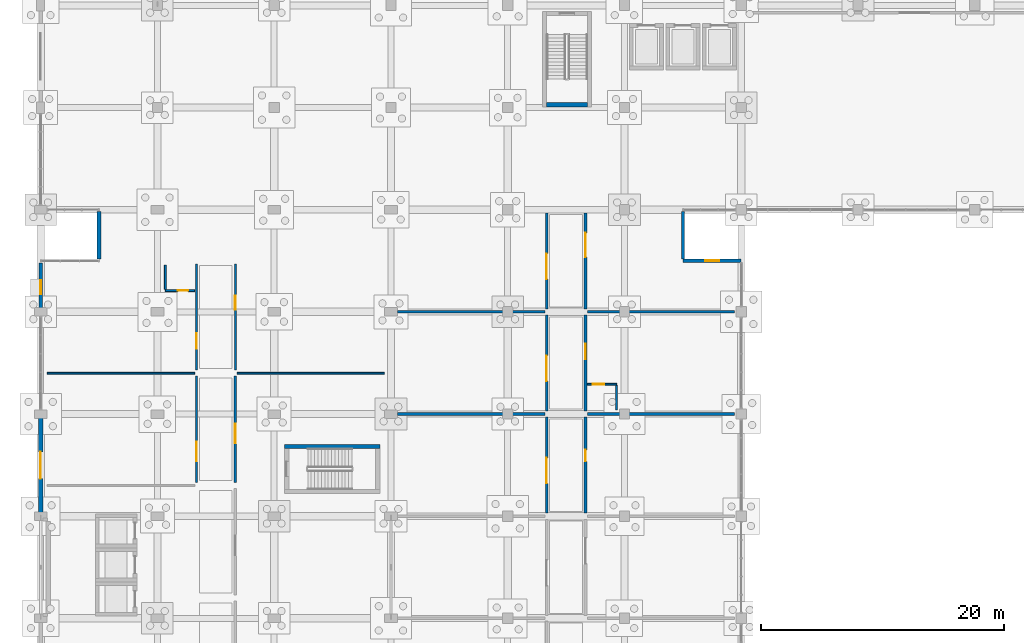
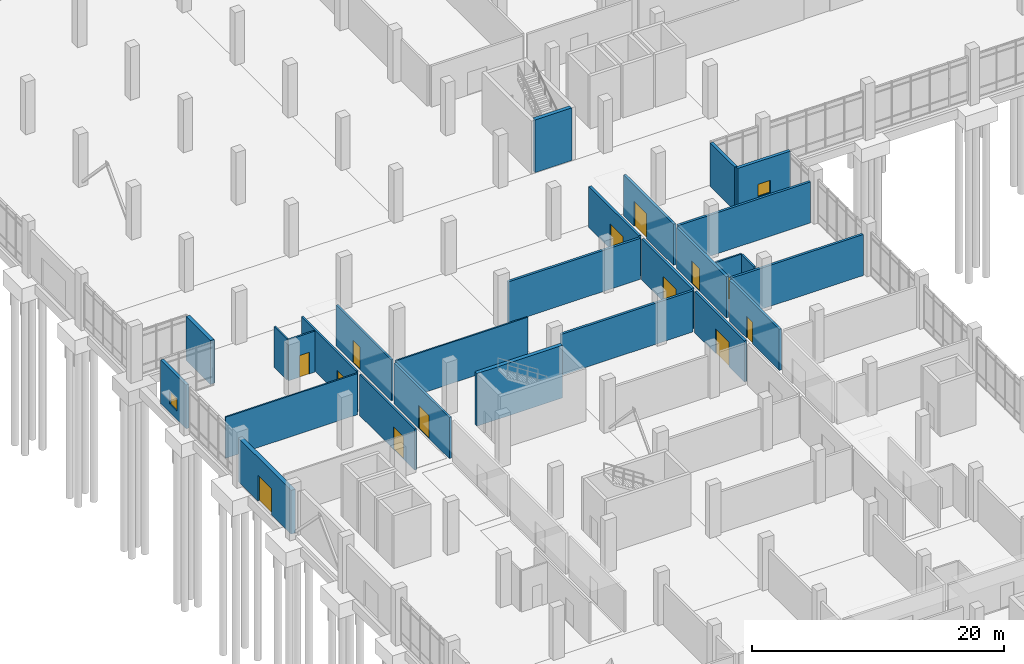
# One storey, part 107 of 136: 27 walls, 13 doors, 2 windows, 15 openings.
"""IFC4 building model written with IfcOpenShell, lengths in metres."""

from ifc_helpers import new_model, si_unit, direction, frame, frame_2d, origin, place, context, subcontext, project, spatial, rectangle, extrude, material, layer, layer_set, type_object, element, fill, save


model = new_model("IFC4")

# Units and contexts
model_context = context("Model", 3, precision=1e-05, world=origin(), true_north=direction((0.0, 1.0)))
body_context = subcontext(model_context, "Body", "Model", "MODEL_VIEW")
ifc_project = project(units=[si_unit("LENGTHUNIT", "METRE"), si_unit("AREAUNIT", "SQUARE_METRE"), si_unit("VOLUMEUNIT", "CUBIC_METRE"), si_unit("PLANEANGLEUNIT", "RADIAN"), si_unit("MASSUNIT", "GRAM", prefix="KILO")], contexts=[model_context])

# Site, building, storey
site_placement = place(None, origin())
site = spatial("IfcSite", under=ifc_project, at=site_placement, CompositionType="ELEMENT")
building_placement = place(site_placement, origin())
building = spatial("IfcBuilding", under=site, at=building_placement, Name="Oolite Switchyard Hospital", CompositionType="ELEMENT")
storey_placement = place(building_placement, origin())
storey = spatial("IfcBuildingStorey", under=building, at=storey_placement, Name="L00", CompositionType="ELEMENT", Elevation=0.0)

# Wall, opening, window
ifc_material_1 = material(Name="Precast oolitic limestone architectural concrete C40/50", Category="masonry")
ifc_layer_1 = layer(ifc_material_1, 0.260009765625)
ifc_layer_set_1 = layer_set([ifc_layer_1], Name="WAL-EXT-260")
wall_type_1 = type_object("IfcWallType", Name="WAL-EXT-260", PredefinedType="SOLIDWALL", material=ifc_layer_set_1)
wall_1_placement = place(storey_placement, frame((0.0, 75.60009765625, 0.0), z_axis=(0.0, 0.0, 1.0), x_axis=(0.0, 1.0, 0.0)))
wall_1 = element("IfcWall", 1, at=wall_1_placement, inside=storey, type_object=wall_type_1, Name="L00 Exterior Spandrel Wall 49", PredefinedType="SOLIDWALL", context=body_context, shape_type="SweptSolid", body=[
    extrude(rectangle(XDim=4.039794921875, YDim=0.260009765625, at=frame_2d((2.02001953125, 0.0))), origin(), (0.0, 0.0, 1.0), 4.239990234375),
])
opening_1_placement = place(wall_1_placement, frame((1.445068359375, 0.0, 0.85009765625)))
opening_1 = element("IfcOpeningElement", 2, at=opening_1_placement, cuts=wall_1, Name="Opening WN-0016", PredefinedType="OPENING", context=body_context, shape_type="SweptSolid", body=[
    extrude(rectangle(XDim=1.14990234375, YDim=1.199951171875, at=frame_2d((0.574951171875, 0.60009765625))), frame((0.0, 0.14013671875, 0.0), z_axis=(0.0, -1.0, 0.0), x_axis=(1.0, 0.0, 0.0)), (0.0, 0.0, 1.0), 0.280029296875),
])
ifc_material_2 = material(Name="Thermally broken aluminum frame with laminated impact glazing", Category="aluminium")
window_type = type_object("IfcWindowType", Name="WIN-IMP-115X120", PartitioningType="SINGLE_PANEL", PredefinedType="WINDOW", material=ifc_material_2)
window_1_placement = place(opening_1_placement, origin())
window_1 = element("IfcWindow", 3, at=window_1_placement, inside=storey, type_object=window_type, Name="L00 Hurricane Impact Window WN-0016", OverallHeight=1.199951171875, OverallWidth=1.14990234375, PartitioningType="SINGLE_PANEL", PredefinedType="WINDOW", context=body_context, shape_type="SweptSolid", body=[
    extrude(rectangle(XDim=1.14990234375, YDim=1.199951171875, at=frame_2d((0.574951171875, 0.60009765625))), frame((0.0, 0.030029296875, 0.0), z_axis=(0.0, -1.0, 0.0), x_axis=(1.0, 0.0, 0.0)), (0.0, 0.0, 1.0), 0.06005859375),
])
fill(opening_1, window_1)

# Wall
wall_2_placement = place(storey_placement, frame((52.800048828125, 83.840087890625, 0.0), z_axis=(0.0, 0.0, 1.0), x_axis=(0.0, -1.0, 0.0)))
element("IfcWall", 4, at=wall_2_placement, inside=storey, type_object=wall_type_1, Name="L00 Exterior Spandrel Wall 56", PredefinedType="SOLIDWALL", context=body_context, shape_type="SweptSolid", body=[
    extrude(rectangle(XDim=3.880126953125, YDim=0.260009765625, at=frame_2d((1.93994140625, 0.0))), origin(), (0.0, 0.0, 1.0), 4.239990234375),
])

# Wall, opening, window
ifc_layer_2 = layer(ifc_material_1, 0.280029296875)
ifc_layer_set_2 = layer_set([ifc_layer_2], Name="WAL-EXT-280")
wall_type_2 = type_object("IfcWallType", Name="WAL-EXT-280", PredefinedType="SOLIDWALL", material=ifc_layer_set_2)
wall_3_placement = place(storey_placement, frame((52.800048828125, 79.800048828125, 0.0), z_axis=(0.0, 0.0, 1.0), x_axis=(1.0, 0.0, 0.0)))
wall_3 = element("IfcWall", 5, at=wall_3_placement, inside=storey, type_object=wall_type_2, Name="L00 Exterior Spandrel Wall 22", PredefinedType="SOLIDWALL", context=body_context, shape_type="SweptSolid", body=[
    extrude(rectangle(XDim=4.800048828125, YDim=0.280029296875, at=frame_2d((2.39990234375, 0.0))), origin(), (0.0, 0.0, 1.0), 4.239990234375),
])
opening_2_placement = place(wall_3_placement, frame((1.824951171875, 0.0, 0.85009765625)))
opening_2 = element("IfcOpeningElement", 6, at=opening_2_placement, cuts=wall_3, Name="Opening WN-0007", PredefinedType="OPENING", context=body_context, shape_type="SweptSolid", body=[
    extrude(rectangle(XDim=1.14990234375, YDim=1.199951171875, at=frame_2d((0.574951171875, 0.60009765625))), frame((0.0, 0.14990234375, 0.0), z_axis=(0.0, -1.0, 0.0), x_axis=(1.0, 0.0, 0.0)), (0.0, 0.0, 1.0), 0.300048828125),
])
window_2_placement = place(opening_2_placement, origin())
window_2 = element("IfcWindow", 7, at=window_2_placement, inside=storey, type_object=window_type, Name="L00 Hurricane Impact Window WN-0007", OverallHeight=1.199951171875, OverallWidth=1.14990234375, PartitioningType="SINGLE_PANEL", PredefinedType="WINDOW", context=body_context, shape_type="SweptSolid", body=[
    extrude(rectangle(XDim=1.14990234375, YDim=1.199951171875, at=frame_2d((0.574951171875, 0.60009765625))), frame((0.0, 0.030029296875, 0.0), z_axis=(0.0, -1.0, 0.0), x_axis=(1.0, 0.0, 0.0)), (0.0, 0.0, 1.0), 0.06005859375),
])
fill(opening_2, window_2)

# Wall
ifc_layer_3 = layer(ifc_material_1, 0.360107421875)
ifc_layer_set_3 = layer_set([ifc_layer_3], Name="WAL-EXT-360")
wall_type_3 = type_object("IfcWallType", Name="WAL-EXT-360", PredefinedType="SOLIDWALL", material=ifc_layer_set_3)
wall_4_placement = place(storey_placement, frame((4.800048828125, 79.9599609375, 0.0), z_axis=(0.0, 0.0, 1.0), x_axis=(0.0, 1.0, 0.0)))
element("IfcWall", 8, at=wall_4_placement, inside=storey, type_object=wall_type_3, Name="L00 Exterior Spandrel Wall 54", PredefinedType="SOLIDWALL", context=body_context, shape_type="SweptSolid", body=[
    extrude(rectangle(XDim=3.880126953125, YDim=0.360107421875, at=frame_2d((1.93994140625, 0.0))), origin(), (0.0, 0.0, 1.0), 4.239990234375),
])

# Wall, opening, door
ifc_layer_4 = layer(ifc_material_1, 0.3798828125)
ifc_layer_set_4 = layer_set([ifc_layer_4], Name="WAL-EXT-380")
wall_type_4 = type_object("IfcWallType", Name="WAL-EXT-380", PredefinedType="SOLIDWALL", material=ifc_layer_set_4)
wall_5_placement = place(storey_placement, frame((0.0, 58.800048828125, 0.0), z_axis=(0.0, 0.0, 1.0), x_axis=(0.0, 1.0, 0.0)))
wall_5 = element("IfcWall", 9, at=wall_5_placement, inside=storey, type_object=wall_type_4, Name="L00 Exterior Spandrel Wall 48", PredefinedType="SOLIDWALL", context=body_context, shape_type="SweptSolid", body=[
    extrude(rectangle(XDim=8.39990234375, YDim=0.3798828125, at=frame_2d((4.199951171875, 0.0))), origin(), (0.0, 0.0, 1.0), 4.239990234375),
])
opening_3_placement = place(wall_5_placement, frame((3.10009765625, 0.0, 0.0)))
opening_3 = element("IfcOpeningElement", 10, at=opening_3_placement, cuts=wall_5, Name="Opening EX-18", PredefinedType="OPENING", context=body_context, shape_type="SweptSolid", body=[
    extrude(rectangle(XDim=2.199951171875, YDim=2.5, at=frame_2d((1.10009765625, 1.25))), frame((0.0, 0.199951171875, 0.0), z_axis=(0.0, -1.0, 0.0), x_axis=(1.0, 0.0, 0.0)), (0.0, 0.0, 1.0), 0.39990234375),
])
door_type_1 = type_object("IfcDoorType", Name="DR-EXT-220X250", OperationType="NOTDEFINED", PredefinedType="DOOR", material=ifc_material_2)
door_1_placement = place(opening_3_placement, origin())
door_1 = element("IfcDoor", 11, at=door_1_placement, inside=storey, type_object=door_type_1, Name="L00 Exterior EX EX-18", OperationType="DOUBLE_DOOR_SINGLE_SWING", OverallHeight=2.5, OverallWidth=2.199951171875, PredefinedType="DOOR", context=body_context, shape_type="SweptSolid", body=[
    extrude(rectangle(XDim=2.199951171875, YDim=2.5, at=frame_2d((1.10009765625, 1.25))), frame((0.0, 0.02490234375, 0.0), z_axis=(0.0, -1.0, 0.0), x_axis=(1.0, 0.0, 0.0)), (0.0, 0.0, 1.0), 0.050048828125),
])
fill(opening_3, door_1)

# Walls
ifc_material_3 = material(Name="Moisture-resistant gypsum board on steel studs", Category="steel")
ifc_layer_5 = layer(ifc_material_3, 0.135009765625)
ifc_layer_set_5 = layer_set([ifc_layer_5], Name="WAL-PART-135")
wall_type_5 = type_object("IfcWallType", Name="WAL-PART-135", PredefinedType="PARTITIONING", material=ifc_layer_set_5)
wall_6_placement = place(storey_placement, frame((0.550048828125, 70.56005859375, 0.0), z_axis=(0.0, 0.0, 1.0), x_axis=(1.0, 0.0, 0.0)))
element("IfcWall", 12, at=wall_6_placement, inside=storey, type_object=wall_type_5, Name="L00 Interior Partition 98", PredefinedType="PARTITIONING", context=body_context, shape_type="SweptSolid", body=[
    extrude(rectangle(XDim=12.099853515625, YDim=0.135009765625, at=frame_2d((6.0498046875, 0.0))), origin(), (0.0, 0.0, 1.0), 3.97998046875),
])
wall_7_placement = place(storey_placement, frame((16.14990234375, 70.56005859375, 0.0), z_axis=(0.0, 0.0, 1.0), x_axis=(1.0, 0.0, 0.0)))
element("IfcWall", 13, at=wall_7_placement, inside=storey, type_object=wall_type_5, Name="L00 Interior Partition 100", PredefinedType="PARTITIONING", context=body_context, shape_type="SweptSolid", body=[
    extrude(rectangle(XDim=12.10009765625, YDim=0.135009765625, at=frame_2d((6.050048828125, 0.0))), origin(), (0.0, 0.0, 1.0), 3.97998046875),
])

# Wall, opening, door
ifc_layer_6 = layer(ifc_material_3, 0.14990234375)
ifc_layer_set_6 = layer_set([ifc_layer_6], Name="WAL-PART-150")
wall_type_6 = type_object("IfcWallType", Name="WAL-PART-150", PredefinedType="PARTITIONING", material=ifc_layer_set_6)
wall_8_placement = place(storey_placement, frame((44.949951171875, 69.64990234375, 0.0), z_axis=(0.0, 0.0, 1.0), x_axis=(1.0, 0.0, 0.0)))
wall_8 = element("IfcWall", 14, at=wall_8_placement, inside=storey, type_object=wall_type_6, Name="L00 Interior Partition 44", PredefinedType="PARTITIONING", context=body_context, shape_type="SweptSolid", body=[
    extrude(rectangle(XDim=2.400146484375, YDim=0.14990234375, at=frame_2d((1.2001953125, 0.0))), origin(), (0.0, 0.0, 1.0), 3.97998046875),
])
opening_4_placement = place(wall_8_placement, frame((0.449951171875, 0.0, 0.0)))
opening_4 = element("IfcOpeningElement", 15, at=opening_4_placement, cuts=wall_8, Name="Opening D-0029", PredefinedType="OPENING", context=body_context, shape_type="SweptSolid", body=[
    extrude(rectangle(XDim=0.949951171875, YDim=2.10009765625, at=frame_2d((0.47509765625, 1.050048828125))), frame((0.0, 0.0849609375, 0.0), z_axis=(0.0, -1.0, 0.0), x_axis=(1.0, 0.0, 0.0)), (0.0, 0.0, 1.0), 0.169921875),
])
ifc_material_4 = material(Name="Solid-core antimicrobial hardwood leaf in steel frame", Category="steel")
door_type_2 = type_object("IfcDoorType", Name="DR-BATH-095X210", OperationType="NOTDEFINED", PredefinedType="DOOR", material=ifc_material_4)
door_2_placement = place(opening_4_placement, origin())
door_2 = element("IfcDoor", 16, at=door_2_placement, inside=storey, type_object=door_type_2, Name="L00 Interior Door D-0029", OperationType="SINGLE_SWING_LEFT", OverallHeight=2.10009765625, OverallWidth=0.949951171875, PredefinedType="DOOR", context=body_context, shape_type="SweptSolid", body=[
    extrude(rectangle(XDim=0.949951171875, YDim=2.10009765625, at=frame_2d((0.47509765625, 1.050048828125))), frame((0.0, 0.02490234375, 0.0), z_axis=(0.0, -1.0, 0.0), x_axis=(1.0, 0.0, 0.0)), (0.0, 0.0, 1.0), 0.050048828125),
])
fill(opening_4, door_2)

# Wall
wall_9_placement = place(storey_placement, frame((47.35009765625, 67.550048828125, 0.0), z_axis=(0.0, 0.0, 1.0), x_axis=(0.0, 1.0, 0.0)))
element("IfcWall", 17, at=wall_9_placement, inside=storey, type_object=wall_type_6, Name="L00 Interior Partition 45", PredefinedType="PARTITIONING", context=body_context, shape_type="SweptSolid", body=[
    extrude(rectangle(XDim=2.0, YDim=0.14990234375, at=frame_2d((1.0, 0.0))), origin(), (0.0, 0.0, 1.0), 3.97998046875),
])

# Wall, opening, door
wall_10_placement = place(storey_placement, frame((10.25, 77.35009765625, 0.0), z_axis=(0.0, 0.0, 1.0), x_axis=(1.0, 0.0, 0.0)))
wall_10 = element("IfcWall", 18, at=wall_10_placement, inside=storey, type_object=wall_type_6, Name="L00 Interior Partition 96", PredefinedType="PARTITIONING", context=body_context, shape_type="SweptSolid", body=[
    extrude(rectangle(XDim=2.39990234375, YDim=0.14990234375, at=frame_2d((1.199951171875, 0.0))), origin(), (0.0, 0.0, 1.0), 3.97998046875),
])
opening_5_placement = place(wall_10_placement, frame((1.0, 0.0, 0.0)))
opening_5 = element("IfcOpeningElement", 19, at=opening_5_placement, cuts=wall_10, Name="Opening D-0061", PredefinedType="OPENING", context=body_context, shape_type="SweptSolid", body=[
    extrude(rectangle(XDim=0.89990234375, YDim=2.10009765625, at=frame_2d((0.449951171875, 1.050048828125))), frame((0.0, 0.0849609375, 0.0), z_axis=(0.0, -1.0, 0.0), x_axis=(1.0, 0.0, 0.0)), (0.0, 0.0, 1.0), 0.169921875),
])
door_type_3 = type_object("IfcDoorType", Name="DR-BATH-090X210", OperationType="NOTDEFINED", PredefinedType="DOOR", material=ifc_material_4)
door_3_placement = place(opening_5_placement, origin())
door_3 = element("IfcDoor", 20, at=door_3_placement, inside=storey, type_object=door_type_3, Name="L00 Interior Door D-0061", OperationType="SINGLE_SWING_RIGHT", OverallHeight=2.10009765625, OverallWidth=0.89990234375, PredefinedType="DOOR", context=body_context, shape_type="SweptSolid", body=[
    extrude(rectangle(XDim=0.89990234375, YDim=2.10009765625, at=frame_2d((0.449951171875, 1.050048828125))), frame((0.0, 0.02490234375, 0.0), z_axis=(0.0, -1.0, 0.0), x_axis=(1.0, 0.0, 0.0)), (0.0, 0.0, 1.0), 0.050048828125),
])
fill(opening_5, door_3)

# Wall
wall_11_placement = place(storey_placement, frame((10.25, 77.449951171875, 0.0), z_axis=(0.0, 0.0, 1.0), x_axis=(0.0, 1.0, 0.0)))
element("IfcWall", 21, at=wall_11_placement, inside=storey, type_object=wall_type_6, Name="L00 Interior Partition 97", PredefinedType="PARTITIONING", context=body_context, shape_type="SweptSolid", body=[
    extrude(rectangle(XDim=2.0, YDim=0.14990234375, at=frame_2d((1.0, 0.0))), origin(), (0.0, 0.0, 1.0), 3.97998046875),
])

# Wall, opening, door
ifc_layer_7 = layer(ifc_material_3, 0.1650390625)
ifc_layer_set_7 = layer_set([ifc_layer_7], Name="WAL-PART-165")
wall_type_7 = type_object("IfcWallType", Name="WAL-PART-165", PredefinedType="PARTITIONING", material=ifc_layer_set_7)
wall_12_placement = place(storey_placement, frame((12.800048828125, 61.570068359375, 0.0), z_axis=(0.0, 0.0, 1.0), x_axis=(0.0, 1.0, 0.0)))
wall_12 = element("IfcWall", 22, at=wall_12_placement, inside=storey, type_object=wall_type_7, Name="L00 Interior Partition 92", PredefinedType="PARTITIONING", context=body_context, shape_type="SweptSolid", body=[
    extrude(rectangle(XDim=8.739990234375, YDim=0.1650390625, at=frame_2d((4.3701171875, 0.0))), origin(), (0.0, 0.0, 1.0), 3.97998046875),
])
opening_6_placement = place(wall_12_placement, frame((1.75, 0.0, 0.0)))
opening_6 = element("IfcOpeningElement", 23, at=opening_6_placement, cuts=wall_12, Name="Opening D-0058", PredefinedType="OPENING", context=body_context, shape_type="SweptSolid", body=[
    extrude(rectangle(XDim=1.60009765625, YDim=2.199951171875, at=frame_2d((0.800048828125, 1.10009765625))), frame((0.0, 0.092529296875, 0.0), z_axis=(0.0, -1.0, 0.0), x_axis=(1.0, 0.0, 0.0)), (0.0, 0.0, 1.0), 0.18505859375),
])
ifc_material_5 = material(Name="Hollow metal fire-rated steel door assembly", Category="steel")
door_type_4 = type_object("IfcDoorType", Name="DR-DBL-160X220", OperationType="NOTDEFINED", PredefinedType="DOOR", material=ifc_material_5)
door_4_placement = place(opening_6_placement, origin())
door_4 = element("IfcDoor", 24, at=door_4_placement, inside=storey, type_object=door_type_4, Name="L00 Interior Door D-0058", OperationType="DOUBLE_DOOR_SINGLE_SWING", OverallHeight=2.199951171875, OverallWidth=1.60009765625, PredefinedType="DOOR", context=body_context, shape_type="SweptSolid", body=[
    extrude(rectangle(XDim=1.60009765625, YDim=2.199951171875, at=frame_2d((0.800048828125, 1.10009765625))), frame((0.0, 0.02490234375, 0.0), z_axis=(0.0, -1.0, 0.0), x_axis=(1.0, 0.0, 0.0)), (0.0, 0.0, 1.0), 0.050048828125),
])
fill(opening_6, door_4)

wall_13_placement = place(storey_placement, frame((12.800048828125, 70.81005859375, 0.0), z_axis=(0.0, 0.0, 1.0), x_axis=(0.0, 1.0, 0.0)))
wall_13 = element("IfcWall", 25, at=wall_13_placement, inside=storey, type_object=wall_type_7, Name="L00 Interior Partition 95", PredefinedType="PARTITIONING", context=body_context, shape_type="SweptSolid", body=[
    extrude(rectangle(XDim=8.739990234375, YDim=0.1650390625, at=frame_2d((4.3701171875, 0.0))), origin(), (0.0, 0.0, 1.0), 3.97998046875),
])
opening_7_placement = place(wall_13_placement, frame((1.75, 0.0, 0.0)))
opening_7 = element("IfcOpeningElement", 26, at=opening_7_placement, cuts=wall_13, Name="Opening D-0060", PredefinedType="OPENING", context=body_context, shape_type="SweptSolid", body=[
    extrude(rectangle(XDim=1.300048828125, YDim=2.199951171875, at=frame_2d((0.64990234375, 1.10009765625))), frame((0.0, 0.092529296875, 0.0), z_axis=(0.0, -1.0, 0.0), x_axis=(1.0, 0.0, 0.0)), (0.0, 0.0, 1.0), 0.18505859375),
])
door_type_5 = type_object("IfcDoorType", Name="DR-WARD-130X220", OperationType="NOTDEFINED", PredefinedType="DOOR", material=ifc_material_4)
door_5_placement = place(opening_7_placement, origin())
door_5 = element("IfcDoor", 27, at=door_5_placement, inside=storey, type_object=door_type_5, Name="L00 Interior Door D-0060", OperationType="SINGLE_SWING_LEFT", OverallHeight=2.199951171875, OverallWidth=1.300048828125, PredefinedType="DOOR", context=body_context, shape_type="SweptSolid", body=[
    extrude(rectangle(XDim=1.300048828125, YDim=2.199951171875, at=frame_2d((0.64990234375, 1.10009765625))), frame((0.0, 0.02490234375, 0.0), z_axis=(0.0, -1.0, 0.0), x_axis=(1.0, 0.0, 0.0)), (0.0, 0.0, 1.0), 0.050048828125),
])
fill(opening_7, door_5)

wall_14_placement = place(storey_placement, frame((16.0, 70.81005859375, 0.0), z_axis=(0.0, 0.0, 1.0), x_axis=(0.0, 1.0, 0.0)))
wall_14 = element("IfcWall", 28, at=wall_14_placement, inside=storey, type_object=wall_type_7, Name="L00 Interior Partition 99", PredefinedType="PARTITIONING", context=body_context, shape_type="SweptSolid", body=[
    extrude(rectangle(XDim=8.739990234375, YDim=0.1650390625, at=frame_2d((4.3701171875, 0.0))), origin(), (0.0, 0.0, 1.0), 3.97998046875),
])
opening_8_placement = place(wall_14_placement, frame((4.949951171875, 0.0, 0.0)))
opening_8 = element("IfcOpeningElement", 29, at=opening_8_placement, cuts=wall_14, Name="Opening D-0062", PredefinedType="OPENING", context=body_context, shape_type="SweptSolid", body=[
    extrude(rectangle(XDim=1.14990234375, YDim=2.199951171875, at=frame_2d((0.574951171875, 1.10009765625))), frame((0.0, 0.092529296875, 0.0), z_axis=(0.0, -1.0, 0.0), x_axis=(1.0, 0.0, 0.0)), (0.0, 0.0, 1.0), 0.18505859375),
])
door_type_6 = type_object("IfcDoorType", Name="DR-CLIN-115X220", OperationType="NOTDEFINED", PredefinedType="DOOR", material=ifc_material_4)
door_6_placement = place(opening_8_placement, origin())
door_6 = element("IfcDoor", 30, at=door_6_placement, inside=storey, type_object=door_type_6, Name="L00 Interior Door D-0062", OperationType="SINGLE_SWING_RIGHT", OverallHeight=2.199951171875, OverallWidth=1.14990234375, PredefinedType="DOOR", context=body_context, shape_type="SweptSolid", body=[
    extrude(rectangle(XDim=1.14990234375, YDim=2.199951171875, at=frame_2d((0.574951171875, 1.10009765625))), frame((0.0, 0.02490234375, 0.0), z_axis=(0.0, -1.0, 0.0), x_axis=(1.0, 0.0, 0.0)), (0.0, 0.0, 1.0), 0.050048828125),
])
fill(opening_8, door_6)

ifc_material_6 = material(Name="Precast concrete C40/50", Category="concrete")
ifc_layer_8 = layer(ifc_material_6, 0.219970703125)
ifc_layer_set_8 = layer_set([ifc_layer_8], Name="WAL-RAD-220")
wall_type_8 = type_object("IfcWallType", Name="WAL-RAD-220", PredefinedType="PARTITIONING", material=ifc_layer_set_8)
wall_15_placement = place(storey_placement, frame((41.60009765625, 59.050048828125, 0.0), z_axis=(0.0, 0.0, 1.0), x_axis=(0.0, 1.0, 0.0)))
wall_15 = element("IfcWall", 31, at=wall_15_placement, inside=storey, type_object=wall_type_8, Name="L00 Interior Partition 37", PredefinedType="PARTITIONING", context=body_context, shape_type="SweptSolid", body=[
    extrude(rectangle(XDim=7.89990234375, YDim=0.219970703125, at=frame_2d((3.949951171875, 0.0))), origin(), (0.0, 0.0, 1.0), 3.97998046875),
])
opening_9_placement = place(wall_15_placement, frame((2.449951171875, 0.0, 0.0)))
opening_9 = element("IfcOpeningElement", 32, at=opening_9_placement, cuts=wall_15, Name="Opening D-0025", PredefinedType="OPENING", context=body_context, shape_type="SweptSolid", body=[
    extrude(rectangle(XDim=2.10009765625, YDim=2.39990234375, at=frame_2d((1.050048828125, 1.199951171875))), frame((0.0, 0.1201171875, 0.0), z_axis=(0.0, -1.0, 0.0), x_axis=(1.0, 0.0, 0.0)), (0.0, 0.0, 1.0), 0.239990234375),
])
door_type_7 = type_object("IfcDoorType", Name="DR-IMG-210X240", OperationType="NOTDEFINED", PredefinedType="DOOR", material=ifc_material_5)
door_7_placement = place(opening_9_placement, origin())
door_7 = element("IfcDoor", 33, at=door_7_placement, inside=storey, type_object=door_type_7, Name="L00 Interior Door D-0025", OperationType="DOUBLE_DOOR_SINGLE_SWING", OverallHeight=2.39990234375, OverallWidth=2.10009765625, PredefinedType="DOOR", context=body_context, shape_type="SweptSolid", body=[
    extrude(rectangle(XDim=2.10009765625, YDim=2.39990234375, at=frame_2d((1.050048828125, 1.199951171875))), frame((0.0, 0.02490234375, 0.0), z_axis=(0.0, -1.0, 0.0), x_axis=(1.0, 0.0, 0.0)), (0.0, 0.0, 1.0), 0.050048828125),
])
fill(opening_9, door_7)

wall_16_placement = place(storey_placement, frame((44.800048828125, 59.050048828125, 0.0), z_axis=(0.0, 0.0, 1.0), x_axis=(0.0, 1.0, 0.0)))
wall_16 = element("IfcWall", 34, at=wall_16_placement, inside=storey, type_object=wall_type_8, Name="L00 Interior Partition 39", PredefinedType="PARTITIONING", context=body_context, shape_type="SweptSolid", body=[
    extrude(rectangle(XDim=7.89990234375, YDim=0.219970703125, at=frame_2d((3.949951171875, 0.0))), origin(), (0.0, 0.0, 1.0), 3.97998046875),
])
opening_10_placement = place(wall_16_placement, frame((4.25, 0.0, 0.0)))
opening_10 = element("IfcOpeningElement", 35, at=opening_10_placement, cuts=wall_16, Name="Opening D-0026", PredefinedType="OPENING", context=body_context, shape_type="SweptSolid", body=[
    extrude(rectangle(XDim=0.949951171875, YDim=2.10009765625, at=frame_2d((0.47509765625, 1.050048828125))), frame((0.0, 0.1201171875, 0.0), z_axis=(0.0, -1.0, 0.0), x_axis=(1.0, 0.0, 0.0)), (0.0, 0.0, 1.0), 0.239990234375),
])
door_8_placement = place(opening_10_placement, origin())
door_8 = element("IfcDoor", 36, at=door_8_placement, inside=storey, type_object=door_type_2, Name="L00 Interior Door D-0026", OperationType="SINGLE_SWING_LEFT", OverallHeight=2.10009765625, OverallWidth=0.949951171875, PredefinedType="DOOR", context=body_context, shape_type="SweptSolid", body=[
    extrude(rectangle(XDim=0.949951171875, YDim=2.10009765625, at=frame_2d((0.47509765625, 1.050048828125))), frame((0.0, 0.02490234375, 0.0), z_axis=(0.0, -1.0, 0.0), x_axis=(1.0, 0.0, 0.0)), (0.0, 0.0, 1.0), 0.050048828125),
])
fill(opening_10, door_8)

wall_17_placement = place(storey_placement, frame((41.60009765625, 67.449951171875, 0.0), z_axis=(0.0, 0.0, 1.0), x_axis=(0.0, 1.0, 0.0)))
wall_17 = element("IfcWall", 37, at=wall_17_placement, inside=storey, type_object=wall_type_8, Name="L00 Interior Partition 41", PredefinedType="PARTITIONING", context=body_context, shape_type="SweptSolid", body=[
    extrude(rectangle(XDim=7.900146484375, YDim=0.219970703125, at=frame_2d((3.9501953125, 0.0))), origin(), (0.0, 0.0, 1.0), 3.97998046875),
])
opening_11_placement = place(wall_17_placement, frame((2.449951171875, 0.0, 0.0)))
opening_11 = element("IfcOpeningElement", 38, at=opening_11_placement, cuts=wall_17, Name="Opening D-0027", PredefinedType="OPENING", context=body_context, shape_type="SweptSolid", body=[
    extrude(rectangle(XDim=2.10009765625, YDim=2.39990234375, at=frame_2d((1.050048828125, 1.199951171875))), frame((0.0, 0.1201171875, 0.0), z_axis=(0.0, -1.0, 0.0), x_axis=(1.0, 0.0, 0.0)), (0.0, 0.0, 1.0), 0.239990234375),
])
door_9_placement = place(opening_11_placement, origin())
door_9 = element("IfcDoor", 39, at=door_9_placement, inside=storey, type_object=door_type_7, Name="L00 Interior Door D-0027", OperationType="DOUBLE_DOOR_SINGLE_SWING", OverallHeight=2.39990234375, OverallWidth=2.10009765625, PredefinedType="DOOR", context=body_context, shape_type="SweptSolid", body=[
    extrude(rectangle(XDim=2.10009765625, YDim=2.39990234375, at=frame_2d((1.050048828125, 1.199951171875))), frame((0.0, 0.02490234375, 0.0), z_axis=(0.0, -1.0, 0.0), x_axis=(1.0, 0.0, 0.0)), (0.0, 0.0, 1.0), 0.050048828125),
])
fill(opening_11, door_9)

# Wall
wall_18_placement = place(storey_placement, frame((29.35009765625, 67.199951171875, 0.0), z_axis=(0.0, 0.0, 1.0), x_axis=(1.0, 0.0, 0.0)))
element("IfcWall", 40, at=wall_18_placement, inside=storey, type_object=wall_type_8, Name="L00 Interior Partition 42", PredefinedType="PARTITIONING", context=body_context, shape_type="SweptSolid", body=[
    extrude(rectangle(XDim=12.099853515625, YDim=0.219970703125, at=frame_2d((6.0498046875, 0.0))), origin(), (0.0, 0.0, 1.0), 3.97998046875),
])

# Wall, opening, door
wall_19_placement = place(storey_placement, frame((44.800048828125, 67.449951171875, 0.0), z_axis=(0.0, 0.0, 1.0), x_axis=(0.0, 1.0, 0.0)))
wall_19 = element("IfcWall", 41, at=wall_19_placement, inside=storey, type_object=wall_type_8, Name="L00 Interior Partition 43", PredefinedType="PARTITIONING", context=body_context, shape_type="SweptSolid", body=[
    extrude(rectangle(XDim=7.900146484375, YDim=0.219970703125, at=frame_2d((3.9501953125, 0.0))), origin(), (0.0, 0.0, 1.0), 3.97998046875),
])
opening_12_placement = place(wall_19_placement, frame((4.25, 0.0, 0.0)))
opening_12 = element("IfcOpeningElement", 42, at=opening_12_placement, cuts=wall_19, Name="Opening D-0028", PredefinedType="OPENING", context=body_context, shape_type="SweptSolid", body=[
    extrude(rectangle(XDim=1.300048828125, YDim=2.199951171875, at=frame_2d((0.64990234375, 1.10009765625))), frame((0.0, 0.1201171875, 0.0), z_axis=(0.0, -1.0, 0.0), x_axis=(1.0, 0.0, 0.0)), (0.0, 0.0, 1.0), 0.239990234375),
])
door_10_placement = place(opening_12_placement, origin())
door_10 = element("IfcDoor", 43, at=door_10_placement, inside=storey, type_object=door_type_5, Name="L00 Interior Door D-0028", OperationType="SINGLE_SWING_RIGHT", OverallHeight=2.199951171875, OverallWidth=1.300048828125, PredefinedType="DOOR", context=body_context, shape_type="SweptSolid", body=[
    extrude(rectangle(XDim=1.300048828125, YDim=2.199951171875, at=frame_2d((0.64990234375, 1.10009765625))), frame((0.0, 0.02490234375, 0.0), z_axis=(0.0, -1.0, 0.0), x_axis=(1.0, 0.0, 0.0)), (0.0, 0.0, 1.0), 0.050048828125),
])
fill(opening_12, door_10)

# Wall
wall_20_placement = place(storey_placement, frame((44.949951171875, 67.199951171875, 0.0), z_axis=(0.0, 0.0, 1.0), x_axis=(1.0, 0.0, 0.0)))
element("IfcWall", 44, at=wall_20_placement, inside=storey, type_object=wall_type_8, Name="L00 Interior Partition 46", PredefinedType="PARTITIONING", context=body_context, shape_type="SweptSolid", body=[
    extrude(rectangle(XDim=12.10009765625, YDim=0.219970703125, at=frame_2d((6.050048828125, 0.0))), origin(), (0.0, 0.0, 1.0), 3.97998046875),
])

# Wall, opening, door
wall_21_placement = place(storey_placement, frame((41.60009765625, 75.85009765625, 0.0), z_axis=(0.0, 0.0, 1.0), x_axis=(0.0, 1.0, 0.0)))
wall_21 = element("IfcWall", 45, at=wall_21_placement, inside=storey, type_object=wall_type_8, Name="L00 Interior Partition 47", PredefinedType="PARTITIONING", context=body_context, shape_type="SweptSolid", body=[
    extrude(rectangle(XDim=7.89990234375, YDim=0.219970703125, at=frame_2d((3.949951171875, 0.0))), origin(), (0.0, 0.0, 1.0), 3.97998046875),
])
opening_13_placement = place(wall_21_placement, frame((2.449951171875, 0.0, 0.0)))
opening_13 = element("IfcOpeningElement", 46, at=opening_13_placement, cuts=wall_21, Name="Opening D-0030", PredefinedType="OPENING", context=body_context, shape_type="SweptSolid", body=[
    extrude(rectangle(XDim=2.10009765625, YDim=2.39990234375, at=frame_2d((1.050048828125, 1.199951171875))), frame((0.0, 0.1201171875, 0.0), z_axis=(0.0, -1.0, 0.0), x_axis=(1.0, 0.0, 0.0)), (0.0, 0.0, 1.0), 0.239990234375),
])
door_11_placement = place(opening_13_placement, origin())
door_11 = element("IfcDoor", 47, at=door_11_placement, inside=storey, type_object=door_type_7, Name="L00 Interior Door D-0030", OperationType="DOUBLE_DOOR_SINGLE_SWING", OverallHeight=2.39990234375, OverallWidth=2.10009765625, PredefinedType="DOOR", context=body_context, shape_type="SweptSolid", body=[
    extrude(rectangle(XDim=2.10009765625, YDim=2.39990234375, at=frame_2d((1.050048828125, 1.199951171875))), frame((0.0, 0.02490234375, 0.0), z_axis=(0.0, -1.0, 0.0), x_axis=(1.0, 0.0, 0.0)), (0.0, 0.0, 1.0), 0.050048828125),
])
fill(opening_13, door_11)

# Wall
wall_22_placement = place(storey_placement, frame((29.35009765625, 75.60009765625, 0.0), z_axis=(0.0, 0.0, 1.0), x_axis=(1.0, 0.0, 0.0)))
element("IfcWall", 48, at=wall_22_placement, inside=storey, type_object=wall_type_8, Name="L00 Interior Partition 48", PredefinedType="PARTITIONING", context=body_context, shape_type="SweptSolid", body=[
    extrude(rectangle(XDim=12.099853515625, YDim=0.219970703125, at=frame_2d((6.0498046875, 0.0))), origin(), (0.0, 0.0, 1.0), 3.97998046875),
])

# Wall, opening, door
wall_23_placement = place(storey_placement, frame((44.800048828125, 75.85009765625, 0.0), z_axis=(0.0, 0.0, 1.0), x_axis=(0.0, 1.0, 0.0)))
wall_23 = element("IfcWall", 49, at=wall_23_placement, inside=storey, type_object=wall_type_8, Name="L00 Interior Partition 49", PredefinedType="PARTITIONING", context=body_context, shape_type="SweptSolid", body=[
    extrude(rectangle(XDim=7.89990234375, YDim=0.219970703125, at=frame_2d((3.949951171875, 0.0))), origin(), (0.0, 0.0, 1.0), 3.97998046875),
])
opening_14_placement = place(wall_23_placement, frame((4.25, 0.0, 0.0)))
opening_14 = element("IfcOpeningElement", 50, at=opening_14_placement, cuts=wall_23, Name="Opening D-0031", PredefinedType="OPENING", context=body_context, shape_type="SweptSolid", body=[
    extrude(rectangle(XDim=2.0, YDim=2.39990234375, at=frame_2d((1.0, 1.199951171875))), frame((0.0, 0.1201171875, 0.0), z_axis=(0.0, -1.0, 0.0), x_axis=(1.0, 0.0, 0.0)), (0.0, 0.0, 1.0), 0.239990234375),
])
door_type_8 = type_object("IfcDoorType", Name="DR-OR-200X240", OperationType="NOTDEFINED", PredefinedType="DOOR", material=ifc_material_5)
door_12_placement = place(opening_14_placement, origin())
door_12 = element("IfcDoor", 51, at=door_12_placement, inside=storey, type_object=door_type_8, Name="L00 Interior Door D-0031", OperationType="DOUBLE_DOOR_SINGLE_SWING", OverallHeight=2.39990234375, OverallWidth=2.0, PredefinedType="DOOR", context=body_context, shape_type="SweptSolid", body=[
    extrude(rectangle(XDim=2.0, YDim=2.39990234375, at=frame_2d((1.0, 1.199951171875))), frame((0.0, 0.02490234375, 0.0), z_axis=(0.0, -1.0, 0.0), x_axis=(1.0, 0.0, 0.0)), (0.0, 0.0, 1.0), 0.050048828125),
])
fill(opening_14, door_12)

# Walls
wall_24_placement = place(storey_placement, frame((44.949951171875, 75.60009765625, 0.0), z_axis=(0.0, 0.0, 1.0), x_axis=(1.0, 0.0, 0.0)))
element("IfcWall", 52, at=wall_24_placement, inside=storey, type_object=wall_type_8, Name="L00 Interior Partition 50", PredefinedType="PARTITIONING", context=body_context, shape_type="SweptSolid", body=[
    extrude(rectangle(XDim=12.10009765625, YDim=0.219970703125, at=frame_2d((6.050048828125, 0.0))), origin(), (0.0, 0.0, 1.0), 3.97998046875),
])
ifc_material_7 = material(Name="Concrete C50/60", Category="concrete")
ifc_layer_9 = layer(ifc_material_7, 0.35009765625)
ifc_layer_set_9 = layer_set([ifc_layer_9], Name="WAL-SHR-350")
wall_type_9 = type_object("IfcWallType", Name="WAL-SHR-350", PredefinedType="SHEAR", material=ifc_layer_set_9)
wall_25_placement = place(storey_placement, frame((27.89990234375, 64.534912109375, 0.0), z_axis=(0.0, 0.0, 1.0), x_axis=(-1.0, 0.0, 0.0)))
element("IfcWall", 53, at=wall_25_placement, inside=storey, type_object=wall_type_9, Name="L00 Core Shear Wall ST-02", PredefinedType="SHEAR", context=body_context, shape_type="SweptSolid", body=[
    extrude(rectangle(XDim=7.849853515625, YDim=0.35009765625, at=frame_2d((3.9248046875, 0.0))), origin(), (0.0, 0.0, 1.0), 5.10009765625),
])
wall_26_placement = place(storey_placement, frame((41.60009765625, 92.625, 0.0), z_axis=(0.0, 0.0, 1.0), x_axis=(1.0, 0.0, 0.0)))
element("IfcWall", 54, at=wall_26_placement, inside=storey, type_object=wall_type_9, Name="L00 Core Shear Wall ST-07", PredefinedType="SHEAR", context=body_context, shape_type="SweptSolid", body=[
    extrude(rectangle(XDim=3.35986328125, YDim=0.35009765625, at=frame_2d((1.679931640625, 0.0))), origin(), (0.0, 0.0, 1.0), 5.10009765625),
])

# Wall, opening, door
ifc_layer_10 = layer(ifc_material_3, 0.199951171875)
ifc_layer_set_10 = layer_set([ifc_layer_10], Name="WAL-SMK-200")
wall_type_10 = type_object("IfcWallType", Name="WAL-SMK-200", PredefinedType="PARTITIONING", material=ifc_layer_set_10)
wall_27_placement = place(storey_placement, frame((16.0, 61.570068359375, 0.0), z_axis=(0.0, 0.0, 1.0), x_axis=(0.0, 1.0, 0.0)))
wall_27 = element("IfcWall", 55, at=wall_27_placement, inside=storey, type_object=wall_type_10, Name="L00 Interior Partition 94", PredefinedType="PARTITIONING", context=body_context, shape_type="SweptSolid", body=[
    extrude(rectangle(XDim=8.739990234375, YDim=0.199951171875, at=frame_2d((4.3701171875, 0.0))), origin(), (0.0, 0.0, 1.0), 3.97998046875),
])
opening_15_placement = place(wall_27_placement, frame((3.25, 0.0, 0.0)))
opening_15 = element("IfcOpeningElement", 56, at=opening_15_placement, cuts=wall_27, Name="Opening D-0059", PredefinedType="OPENING", context=body_context, shape_type="SweptSolid", body=[
    extrude(rectangle(XDim=1.60009765625, YDim=2.199951171875, at=frame_2d((0.800048828125, 1.10009765625))), frame((0.0, 0.10986328125, 0.0), z_axis=(0.0, -1.0, 0.0), x_axis=(1.0, 0.0, 0.0)), (0.0, 0.0, 1.0), 0.219970703125),
])
door_13_placement = place(opening_15_placement, origin())
door_13 = element("IfcDoor", 57, at=door_13_placement, inside=storey, type_object=door_type_4, Name="L00 Interior Door D-0059", OperationType="DOUBLE_DOOR_SINGLE_SWING", OverallHeight=2.199951171875, OverallWidth=1.60009765625, PredefinedType="DOOR", context=body_context, shape_type="SweptSolid", body=[
    extrude(rectangle(XDim=1.60009765625, YDim=2.199951171875, at=frame_2d((0.800048828125, 1.10009765625))), frame((0.0, 0.02490234375, 0.0), z_axis=(0.0, -1.0, 0.0), x_axis=(1.0, 0.0, 0.0)), (0.0, 0.0, 1.0), 0.050048828125),
])
fill(opening_15, door_13)

save(model, "model.ifc")
